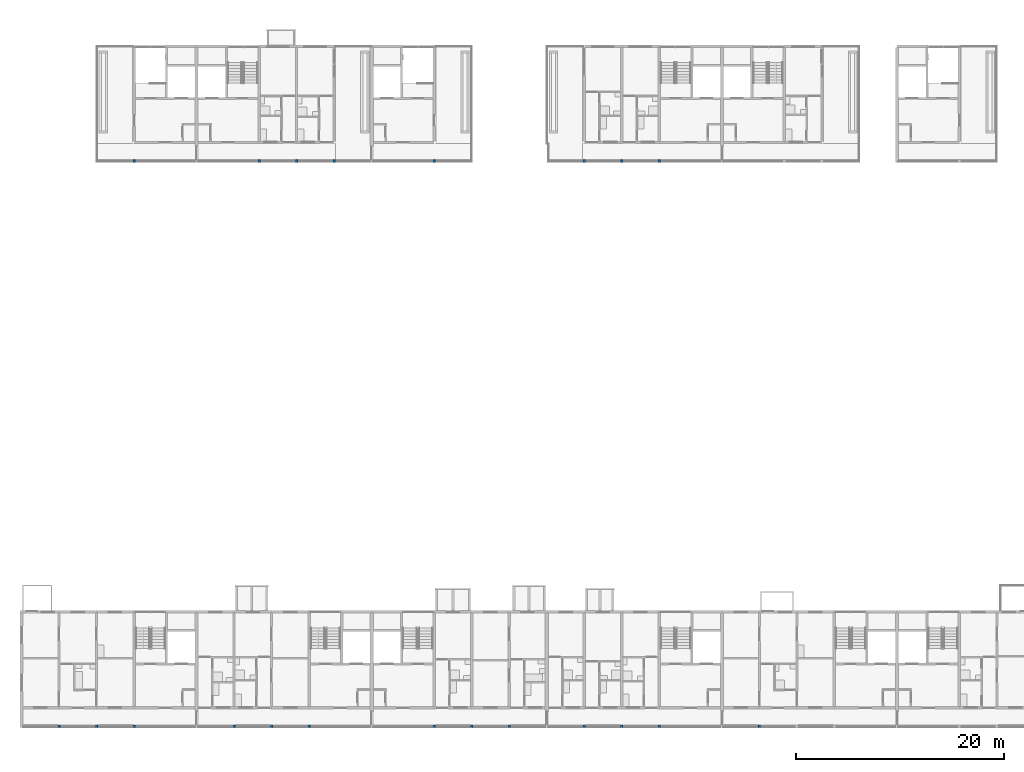
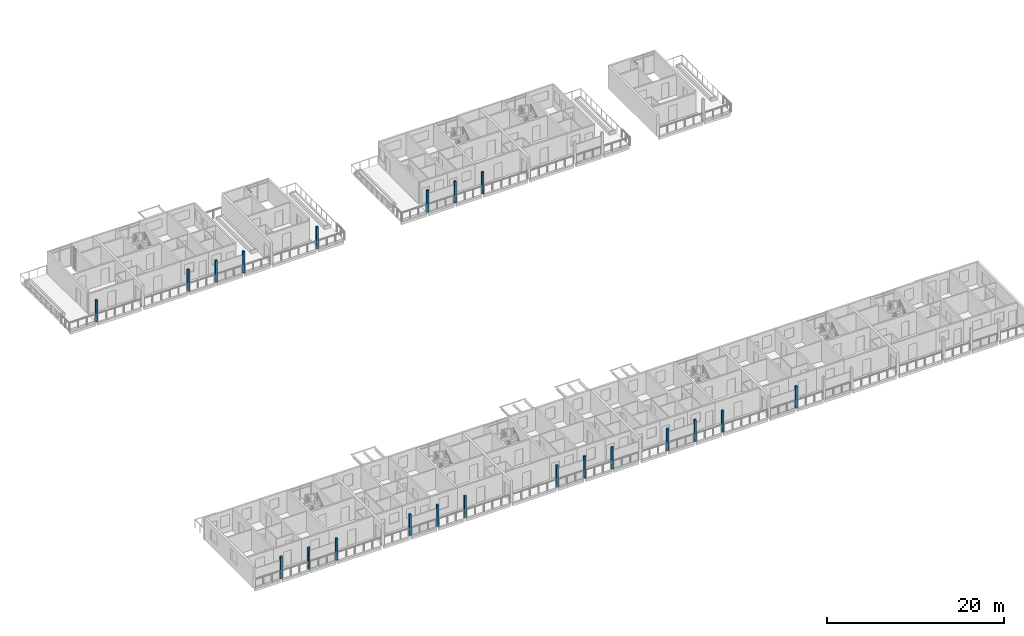
# One storey, part 1 of 94: 21 columns.
"""IFC4 building model written with IfcOpenShell, lengths in metres."""

from ifc_helpers import new_model, si_unit, direction, frame, origin, origin_2d, place, context, subcontext, project, spatial, rectangle, extrude, material, material_profile, profile_set, type_object, element, save


model = new_model("IFC4")

# Units and contexts
model_context = context("Model", 3, precision=1e-05, world=origin(), true_north=direction((0.0, 1.0)))
body_context = subcontext(model_context, "Body", "Model", "MODEL_VIEW")
ifc_project = project(units=[si_unit("LENGTHUNIT", "METRE"), si_unit("AREAUNIT", "SQUARE_METRE"), si_unit("VOLUMEUNIT", "CUBIC_METRE"), si_unit("PLANEANGLEUNIT", "RADIAN"), si_unit("MASSUNIT", "GRAM", prefix="KILO")], contexts=[model_context])

# Site, building, storey
site_placement = place(None, origin())
site = spatial("IfcSite", under=ifc_project, at=site_placement, CompositionType="ELEMENT")
building_placement = place(site_placement, origin())
building = spatial("IfcBuilding", under=site, at=building_placement, Name="Ridgestep Commons", CompositionType="ELEMENT")
storey_placement = place(building_placement, frame((0.0, 0.0, 24.0)))
storey = spatial("IfcBuildingStorey", under=building, at=storey_placement, Name="L08", CompositionType="ELEMENT", Elevation=24.0)

# Columns
ifc_material = material(Name="Precast concrete C40/50", Category="concrete")
ifc_material_profile = material_profile(ifc_material, rectangle(XDim=0.25, YDim=0.25, at=origin_2d()), Name="PC 250x250")
ifc_profile_set = profile_set([ifc_material_profile], Name="Precast concrete C40/50")
column_type = type_object("IfcColumnType", Name="Loggia column 250 x 250", PredefinedType="COLUMN", material=ifc_profile_set)
for number, where, z_axis, x_axis, name in (
    (1, (15.60009765625, 11.875, 0.0), (0.0, 0.0, 1.0), (1.0, 0.0, 0.0), "Loggia column A L08"),
    (2, (19.199951171875, 11.875, 0.0), (0.0, 0.0, 1.0), (1.0, 0.0, 0.0), "Loggia column A L08"),
    (3, (22.800048828125, 11.875, 0.0), (0.0, 0.0, 1.0), (1.0, 0.0, 0.0), "Loggia column A L08"),
    (4, (32.39990234375, 11.875, 0.0), (0.0, 0.0, 1.0), (1.0, 0.0, 0.0), "Loggia column A L08"),
    (5, (36.0, 11.875, 0.0), (0.0, 0.0, 1.0), (1.0, 0.0, 0.0), "Loggia column A L08"),
    (6, (39.60009765625, 11.875, 0.0), (0.0, 0.0, 1.0), (1.0, 0.0, 0.0), "Loggia column A L08"),
    (7, (51.60009765625, 11.875, 0.0), (0.0, 0.0, 1.0), (1.0, 0.0, 0.0), "Loggia column A L08"),
    (8, (55.199951171875, 11.875, 0.0), (0.0, 0.0, 1.0), (1.0, 0.0, 0.0), "Loggia column A L08"),
    (9, (58.800048828125, 11.875, 0.0), (0.0, 0.0, 1.0), (1.0, 0.0, 0.0), "Loggia column A L08"),
    (10, (66.0, 11.875, 0.0), (0.0, 0.0, 1.0), (1.0, 0.0, 0.0), "Loggia column A L08"),
    (11, (69.60009765625, 11.875, 0.0), (0.0, 0.0, 1.0), (1.0, 0.0, 0.0), "Loggia column A L08"),
    (12, (73.199951171875, 11.875, 0.0), (0.0, 0.0, 1.0), (1.0, 0.0, 0.0), "Loggia column A L08"),
    (13, (82.800048828125, 11.875, 0.0), (0.0, 0.0, 1.0), (1.0, 0.0, 0.0), "Loggia column A L08"),
    (14, (22.800048828125, 66.125, 0.0), (0.0, 0.0, 1.0), (1.0, 0.0, 0.0), "Loggia column B L08"),
    (15, (34.800048828125, 66.125, 0.0), (0.0, 0.0, 1.0), (1.0, 0.0, 0.0), "Loggia column B L08"),
    (16, (38.39990234375, 66.125, 0.0), (0.0, 0.0, 1.0), (1.0, 0.0, 0.0), "Loggia column B L08"),
    (17, (42.0, 66.125, 0.0), (0.0, 0.0, 1.0), (1.0, 0.0, 0.0), "Loggia column B L08"),
    (18, (51.60009765625, 66.125, 0.0), (0.0, 0.0, 1.0), (1.0, 0.0, 0.0), "Loggia column B L08"),
    (19, (66.0, 66.125, 0.0), (0.0, 0.0, 1.0), (1.0, 0.0, 0.0), "Loggia column B L08"),
    (20, (69.60009765625, 66.125, 0.0), (0.0, 0.0, 1.0), (1.0, 0.0, 0.0), "Loggia column B L08"),
    (21, (73.199951171875, 66.125, 0.0), (0.0, 0.0, 1.0), (1.0, 0.0, 0.0), "Loggia column B L08"),
):
    element("IfcColumn", number, at=place(storey_placement, frame(where, z_axis=z_axis, x_axis=x_axis)), inside=storey, type_object=column_type, Name=name, PredefinedType="COLUMN", context=body_context, shape_type="SweptSolid", body=[
        extrude(rectangle(XDim=0.25, YDim=0.25, at=origin_2d()), origin(), (0.0, 0.0, 1.0), 3.0),
    ])

save(model, "model.ifc")
